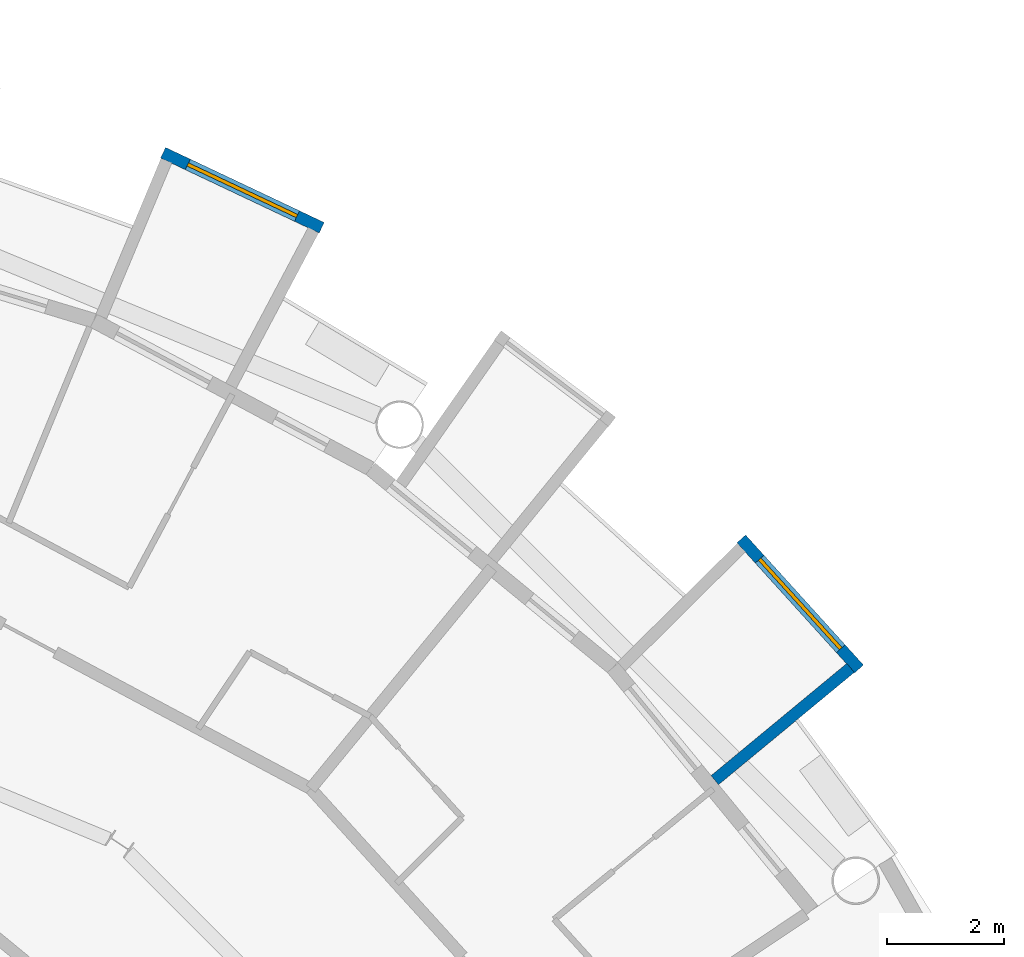
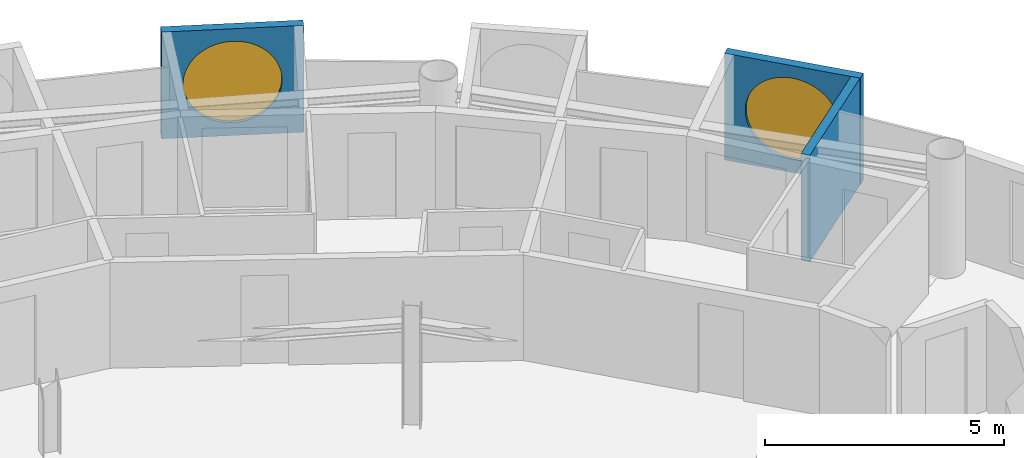
# One storey, part 25 of 29: 3 walls, 2 windows, 2 openings.
"""IFC4 building model written with IfcOpenShell, lengths in metres."""

from ifc_helpers import new_model, si_unit, direction, frame, frame_2d, origin, place, context, subcontext, project, spatial, rectangle, circle, extrude, material, layer, layer_set, type_object, element, fill, save


model = new_model("IFC4")

# Units and contexts
model_context = context("Model", 3, precision=1e-05, world=origin(), true_north=direction((0.0, 1.0)))
body_context = subcontext(model_context, "Body", "Model", "MODEL_VIEW")
ifc_project = project(units=[si_unit("LENGTHUNIT", "METRE"), si_unit("AREAUNIT", "SQUARE_METRE"), si_unit("VOLUMEUNIT", "CUBIC_METRE"), si_unit("PLANEANGLEUNIT", "RADIAN"), si_unit("MASSUNIT", "GRAM", prefix="KILO")], contexts=[model_context])

# Site, building, storey
site_placement = place(None, origin())
site = spatial("IfcSite", under=ifc_project, at=site_placement, CompositionType="ELEMENT")
building_placement = place(site_placement, origin())
building = spatial("IfcBuilding", under=site, at=building_placement, Name="Maasbend Ring Residences", CompositionType="ELEMENT")
storey_placement = place(building_placement, frame((0.0, 0.0, 215.75)))
storey = spatial("IfcBuildingStorey", under=building, at=storey_placement, Name="L62", CompositionType="ELEMENT", Elevation=215.75)

# Wall, opening, window
ifc_material_1 = material(Name="Pale anodised aluminium panel", Category="aluminium")
ifc_layer = layer(ifc_material_1, 0.199951171875)
ifc_layer_set = layer_set([ifc_layer], Name="EW-BOX")
wall_type = type_object("IfcWallType", Name="EW-BOX", PredefinedType="SOLIDWALL", material=ifc_layer_set)
wall_1_placement = place(storey_placement, frame((23.5029296875, 19.281982421875, -0.030029296875), z_axis=(0.0, 0.0, 1.0), x_axis=(-0.671506829416, 0.740998365753, 0.0)))
wall_1 = element("IfcWall", 1, at=wall_1_placement, inside=storey, type_object=wall_type, Name="Box front N02", PredefinedType="SOLIDWALL", context=body_context, shape_type="SweptSolid", body=[
    extrude(rectangle(XDim=2.9931640625, YDim=0.199951171875, at=frame_2d((1.49658203125, 0.0))), origin(), (0.0, 0.0, 1.0), 2.72998046875),
])
opening_1_placement = place(wall_1_placement, frame((0.45654296875, 0.0, 0.330078125)))
opening_1 = element("IfcOpeningElement", 2, at=opening_1_placement, cuts=wall_1, Name="Opening W-RD", PredefinedType="OPENING", context=body_context, shape_type="SweptSolid", body=[
    extrude(circle(Radius=1.0400390625, at=frame_2d((1.0400390625, 1.0400390625))), frame((0.0, 0.10986328125, 0.0), z_axis=(0.0, -1.0, 0.0), x_axis=(1.0, 0.0, 0.0)), (0.0, 0.0, 1.0), 0.219970703125),
])
ifc_material_2 = material(Name="Aluminium and clear glass", Category="aluminium")
window_type = type_object("IfcWindowType", Name="W-RD", PartitioningType="SINGLE_PANEL", PredefinedType="WINDOW", material=ifc_material_2)
window_1_placement = place(opening_1_placement, origin())
window_1 = element("IfcWindow", 3, at=window_1_placement, inside=storey, type_object=window_type, Name="Round window N02", OverallHeight=2.080078125, OverallWidth=2.080078125, PartitioningType="SINGLE_PANEL", PredefinedType="WINDOW", context=body_context, shape_type="SweptSolid", body=[
    extrude(circle(Radius=1.0400390625, at=frame_2d((1.0400390625, 1.0400390625))), frame((0.0, 0.030029296875, 0.0), z_axis=(0.0, -1.0, 0.0), x_axis=(1.0, 0.0, 0.0)), (0.0, 0.0, 1.0), 0.06005859375),
])
fill(opening_1, window_1)

# Wall
wall_2_placement = place(storey_placement, frame((21.041015625, 17.384033203125, -0.030029296875), z_axis=(0.0, 0.0, 1.0), x_axis=(0.770784861449, 0.63709551667, 0.0)))
element("IfcWall", 4, at=wall_2_placement, inside=storey, type_object=wall_type, Name="Box side wall N02 left", PredefinedType="SOLIDWALL", context=body_context, shape_type="SweptSolid", body=[
    extrude(rectangle(XDim=3.005859375, YDim=0.199951171875, at=frame_2d((1.5029296875, 0.0))), origin(), (0.0, 0.0, 1.0), 2.72998046875),
])

# Wall, opening, window
wall_3_placement = place(storey_placement, frame((14.3349609375, 26.80810546875, -0.030029296875), z_axis=(0.0, 0.0, 1.0), x_axis=(-0.904000060331, 0.427532327342, 0.0)))
wall_3 = element("IfcWall", 5, at=wall_3_placement, inside=storey, type_object=wall_type, Name="Box front N06", PredefinedType="SOLIDWALL", context=body_context, shape_type="SweptSolid", body=[
    extrude(rectangle(XDim=2.993408203125, YDim=0.199951171875, at=frame_2d((1.49658203125, 0.0))), origin(), (0.0, 0.0, 1.0), 2.72998046875),
])
opening_2_placement = place(wall_3_placement, frame((0.45654296875, 0.0, 0.330078125)))
opening_2 = element("IfcOpeningElement", 6, at=opening_2_placement, cuts=wall_3, Name="Opening W-RD", PredefinedType="OPENING", context=body_context, shape_type="SweptSolid", body=[
    extrude(circle(Radius=1.0400390625, at=frame_2d((1.0400390625, 1.0400390625))), frame((0.0, 0.10986328125, 0.0), z_axis=(0.0, -1.0, 0.0), x_axis=(1.0, 0.0, 0.0)), (0.0, 0.0, 1.0), 0.219970703125),
])
window_2_placement = place(opening_2_placement, origin())
window_2 = element("IfcWindow", 7, at=window_2_placement, inside=storey, type_object=window_type, Name="Round window N06", OverallHeight=2.080078125, OverallWidth=2.080078125, PartitioningType="SINGLE_PANEL", PredefinedType="WINDOW", context=body_context, shape_type="SweptSolid", body=[
    extrude(circle(Radius=1.0400390625, at=frame_2d((1.0400390625, 1.0400390625))), frame((0.0, 0.030029296875, 0.0), z_axis=(0.0, -1.0, 0.0), x_axis=(1.0, 0.0, 0.0)), (0.0, 0.0, 1.0), 0.06005859375),
])
fill(opening_2, window_2)

save(model, "model.ifc")
